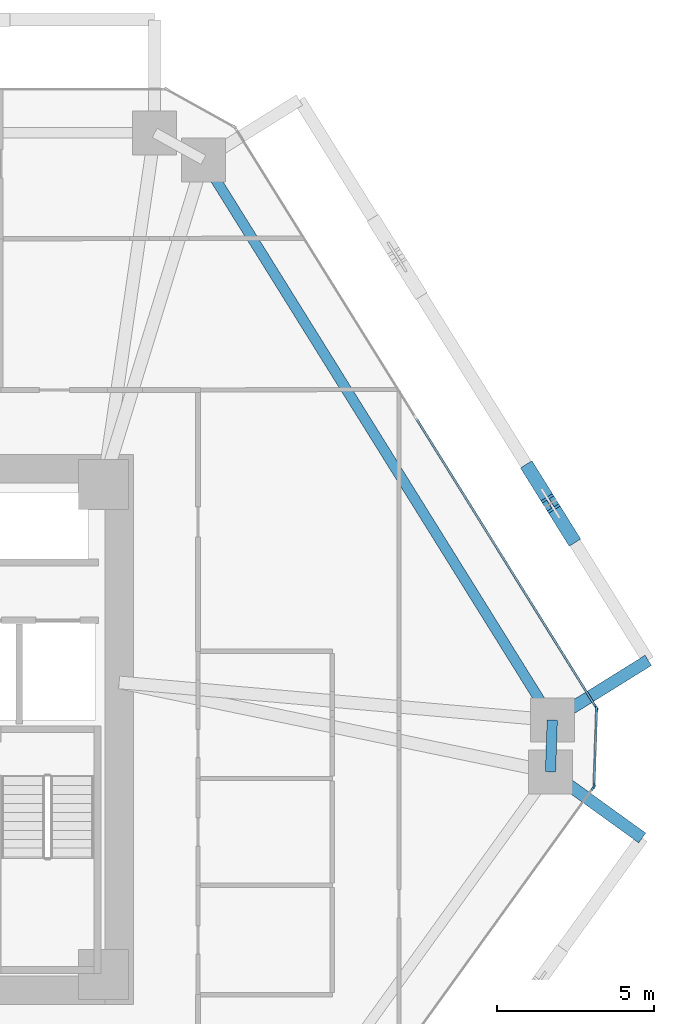
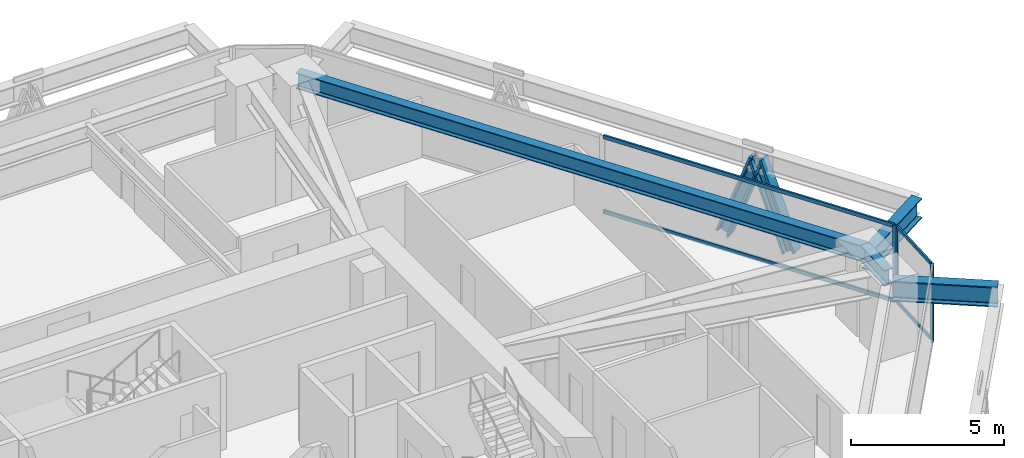
# One storey, part 6 of 17: 10 members, 4 beams, 3 elements without a shape of their own.
"""IFC4 building model written with IfcOpenShell, lengths in metres."""

from ifc_helpers import new_model, si_unit, direction, frame, origin, origin_2d, place, context, subcontext, project, spatial, rectangle, i_section, extrude, source, transform, mapped, material, layer, layer_set, material_profile, profile_set, type_object, type_shapes, element, aggregate, save


model = new_model("IFC4")

# Units and contexts
model_context = context("Model", 3, precision=1e-05, world=origin(), true_north=direction((0.0, 1.0)))
body_context = subcontext(model_context, "Body", "Model", "MODEL_VIEW")
ifc_project = project(units=[si_unit("LENGTHUNIT", "METRE"), si_unit("AREAUNIT", "SQUARE_METRE"), si_unit("VOLUMEUNIT", "CUBIC_METRE"), si_unit("PLANEANGLEUNIT", "RADIAN"), si_unit("MASSUNIT", "GRAM", prefix="KILO")], contexts=[model_context])

# Site, building, storey
site_placement = place(None, origin())
site = spatial("IfcSite", under=ifc_project, at=site_placement, CompositionType="ELEMENT")
building_placement = place(site_placement, origin())
building = spatial("IfcBuilding", under=site, at=building_placement, Name="Durnholm Broadcast Tower", CompositionType="ELEMENT")
storey_placement = place(building_placement, frame((0.0, 0.0, 58.800048828125)))
storey = spatial("IfcBuildingStorey", under=building, at=storey_placement, Name="L14", CompositionType="ELEMENT", Elevation=58.800048828125)

# Beams
ifc_material_1 = material(Name="Steel ASTM A992 Grade 50", Category="steel")
ifc_material_profile_1 = material_profile(ifc_material_1, i_section(OverallWidth=0.3291015625, OverallDepth=0.635009765625, WebThickness=0.017822265625, FlangeThickness=0.031005859375, FilletRadius=0.02783203125, at=origin_2d()), Name="W24X162")
ifc_profile_set_1 = profile_set([ifc_material_profile_1], Name="Steel ASTM A992 Grade 50")
beam_type_1 = type_object("IfcBeamType", Name="STL-SP-W24X162", PredefinedType="SPANDREL", material=ifc_profile_set_1)
shared_shape_1 = source(origin(), body_context, "Body", "SweptSolid", [
    extrude(i_section(OverallWidth=0.3291015625, OverallDepth=0.635009765625, WebThickness=0.017822265625, FlangeThickness=0.031005859375, FilletRadius=0.02783203125, at=origin_2d()), origin(), (0.0, 0.0, 1.0), 21.014404296875),
])
beam_1_placement = place(storey_placement, frame((12.982666015625, 18.138427734375, 2.7275390625), z_axis=(0.528595731543, -0.848873696491, 0.0), x_axis=(0.848873696491, 0.528595731543, 0.0)))
element("IfcBeam", 1, at=beam_1_placement, inside=storey, type_object=beam_type_1, Name="L14 perimeter spandrel girder 07", PredefinedType="SPANDREL", context=body_context, shape_type="MappedRepresentation", body=[
    mapped(shared_shape_1, transform((0.0, 0.0, 0.0), x_axis=(1.0, 0.0, 0.0), y_axis=(0.0, 1.0, 0.0), z_axis=(0.0, 0.0, 1.0), scale=1.0)),
])
shared_shape_2 = source(origin(), body_context, "Body", "SweptSolid", [
    extrude(i_section(OverallWidth=0.3291015625, OverallDepth=0.635009765625, WebThickness=0.017822265625, FlangeThickness=0.031005859375, FilletRadius=0.02783203125, at=origin_2d()), origin(), (0.0, 0.0, 1.0), 1.648193359375),
])
type_shapes(beam_type_1, [shared_shape_1, shared_shape_2])
beam_2_placement = place(storey_placement, frame((24.0908203125, 0.2998046875, 2.7275390625), z_axis=(-0.033921477804, -0.999424501072, 0.0), x_axis=(0.999424501072, -0.033921477804, 0.0)))
element("IfcBeam", 2, at=beam_2_placement, inside=storey, type_object=beam_type_1, Name="L14 perimeter spandrel girder 08", PredefinedType="SPANDREL", context=body_context, shape_type="MappedRepresentation", body=[
    mapped(shared_shape_2, transform((0.0, 0.0, 0.0), x_axis=(1.0, 0.0, 0.0), y_axis=(0.0, 1.0, 0.0), z_axis=(0.0, 0.0, 1.0), scale=1.0)),
])
ifc_material_profile_2 = material_profile(ifc_material_1, i_section(OverallWidth=0.385009765625, OverallDepth=0.802978515625, WebThickness=0.023681640625, FlangeThickness=0.0419921875, FilletRadius=0.032958984375, at=origin_2d()), Name="W30X261")
ifc_profile_set_2 = profile_set([ifc_material_profile_2], Name="Steel ASTM A992 Grade 50")
beam_type_2 = type_object("IfcBeamType", Name="BM-EXO-TIE", PredefinedType="USERDEFINED", material=ifc_profile_set_2)
shared_shape_3 = source(origin(), body_context, "Body", "SweptSolid", [
    extrude(i_section(OverallWidth=0.385009765625, OverallDepth=0.802978515625, WebThickness=0.023681640625, FlangeThickness=0.0419921875, FilletRadius=0.032958984375, at=origin_2d()), origin(), (0.0, 0.0, 1.0), 3.4560546875),
])
beam_3_placement = place(storey_placement, frame((24.212890625, 0.375732421875, 2.30859375), z_axis=(0.848874183218, 0.528594949906, 0.0), x_axis=(-0.528594949906, 0.848874183218, 0.0)))
element("IfcBeam", 3, at=beam_3_placement, inside=storey, type_object=beam_type_2, Name="L14 exoskeleton stand-off tie bracket F3.1", ObjectType="GIRDER", PredefinedType="USERDEFINED", context=body_context, shape_type="MappedRepresentation", body=[
    mapped(shared_shape_3, transform((0.0, 0.0, 0.0), x_axis=(1.0, 0.0, 0.0), y_axis=(0.0, 1.0, 0.0), z_axis=(0.0, 0.0, 1.0), scale=1.0)),
])
shared_shape_4 = source(origin(), body_context, "Body", "SweptSolid", [
    extrude(i_section(OverallWidth=0.385009765625, OverallDepth=0.802978515625, WebThickness=0.023681640625, FlangeThickness=0.0419921875, FilletRadius=0.032958984375, at=origin_2d()), origin(), (0.0, 0.0, 1.0), 3.455810546875),
])
type_shapes(beam_type_2, [shared_shape_3, shared_shape_4])
beam_4_placement = place(storey_placement, frame((24.15185546875, -1.431396484375, 2.30859375), z_axis=(0.811133512552, -0.584861030344, 0.0), x_axis=(0.584861030344, 0.811133512552, 0.0)))
element("IfcBeam", 4, at=beam_4_placement, inside=storey, type_object=beam_type_2, Name="L14 exoskeleton stand-off tie bracket F2.2", ObjectType="GIRDER", PredefinedType="USERDEFINED", context=body_context, shape_type="MappedRepresentation", body=[
    mapped(shared_shape_4, transform((0.0, 0.0, 0.0), x_axis=(1.0, 0.0, 0.0), y_axis=(0.0, 1.0, 0.0), z_axis=(0.0, 0.0, 1.0), scale=1.0)),
])

# Members
ifc_material_2 = material(Name="Steel ASTM A913 Grade 65", Category="steel")
ifc_material_profile_3 = material_profile(ifc_material_2, i_section(OverallWidth=0.43212890625, OverallDepth=0.497802734375, WebThickness=0.0556640625, FlangeThickness=0.0888671875, FilletRadius=0.030517578125, at=origin_2d()), Name="W14X500")
ifc_profile_set_3 = profile_set([ifc_material_profile_3], Name="Steel ASTM A913 Grade 65")
member_type_1 = type_object("IfcMemberType", Name="STL-DG-W14X500", PredefinedType="BRACE", material=ifc_profile_set_3)
shared_shape_5 = source(origin(), body_context, "Body", "SweptSolid", [
    extrude(i_section(OverallWidth=0.43212890625, OverallDepth=0.497802734375, WebThickness=0.0556640625, FlangeThickness=0.0888671875, FilletRadius=0.030517578125, at=origin_2d()), origin(), (0.0, 0.0, 1.0), 3.523193359375),
])
type_shapes(member_type_1, [shared_shape_5])
for number, where, z_axis, x_axis, name in (
    (5, (24.688720703125, 6.150146484375, -0.991455078125), (-0.185157304084, 0.297277258428, 0.936665897941), (-0.848819847179, -0.528682198523, 0.0), "L14 stand-off diagrid brace F3.D1.1"),
    (6, (23.38427734375, 8.244873046875, -0.991455078125), (0.185090383068, -0.297281072018, 0.936677913861), (0.848908635391, 0.528539618911, 0.0), "L14 stand-off diagrid brace F3.D1.2"),
):
    element("IfcMember", number, at=place(storey_placement, frame(where, z_axis=z_axis, x_axis=x_axis)), inside=storey, type_object=member_type_1, Name=name, PredefinedType="BRACE", context=body_context, shape_type="MappedRepresentation", body=[
        mapped(shared_shape_5, transform((0.0, 0.0, 0.0), x_axis=(1.0, 0.0, 0.0), y_axis=(0.0, 1.0, 0.0), z_axis=(0.0, 0.0, 1.0), scale=1.0)),
    ])

# Curtain wall, members
ifc_material_3 = material(Name="Aluminium and Solar Control IGU", Category="aluminium")
ifc_layer_1 = layer(ifc_material_3, 0.1650390625)
ifc_layer_set_1 = layer_set([ifc_layer_1], Name="Aluminium and Solar Control IGU")
curtain_wall_type_1 = type_object("IfcCurtainWallType", Name="CW-SYS-5", PredefinedType="NOTDEFINED", material=ifc_layer_set_1)
curtain_wall_1_placement = place(storey_placement, origin())
curtain_wall_1 = element("IfcCurtainWall", 7, at=curtain_wall_1_placement, inside=storey, type_object=curtain_wall_type_1, Name="L14 curtain wall CW-CORNER CW-L14-CRN-07", PredefinedType="NOTDEFINED")
ifc_material_4 = material(Name="Aluminium 6063-T6", Category="aluminium")
ifc_material_profile_4 = material_profile(ifc_material_4, rectangle(XDim=0.06494140625, YDim=0.1650390625, at=origin_2d()), Name="CWM65X165")
ifc_profile_set_4 = profile_set([ifc_material_profile_4], Name="Aluminium 6063-T6")
member_type_2 = type_object("IfcMemberType", Name="CW-SYS-5-MUL", PredefinedType="MULLION", material=ifc_profile_set_4)
shared_shape_6 = source(origin(), body_context, "Body", "SweptSolid", [
    extrude(rectangle(XDim=0.06494140625, YDim=0.1650390625, at=origin_2d()), origin(), (0.0, 0.0, 1.0), 3.06005859375),
])
type_shapes(member_type_2, [shared_shape_6])
member_1_placement = place(storey_placement, frame((25.50341796875, 0.6455078125, 0.0), z_axis=(0.0, 0.0, 1.0), x_axis=(0.999427277772, -0.033839569233, 0.0)))
member_1 = element("IfcMember", 8, at=member_1_placement, type_object=member_type_2, Name="CW-CORNER mullion 1", PredefinedType="MULLION", context=body_context, shape_type="MappedRepresentation", body=[
    mapped(shared_shape_6, transform((0.0, 0.0, 0.0), x_axis=(1.0, 0.0, 0.0), y_axis=(0.0, 1.0, 0.0), z_axis=(0.0, 0.0, 1.0), scale=1.0)),
])
member_2_placement = place(storey_placement, frame((25.4208984375, -1.7880859375, 0.0), z_axis=(0.0, 0.0, 1.0), x_axis=(0.999427277772, -0.033839569233, 0.0)))
member_2 = element("IfcMember", 9, at=member_2_placement, type_object=member_type_2, Name="CW-CORNER mullion 2", PredefinedType="MULLION", context=body_context, shape_type="MappedRepresentation", body=[
    mapped(shared_shape_6, transform((0.0, 0.0, 0.0), x_axis=(1.0, 0.0, 0.0), y_axis=(0.0, 1.0, 0.0), z_axis=(0.0, 0.0, 1.0), scale=1.0)),
])
ifc_material_profile_5 = material_profile(ifc_material_4, rectangle(XDim=0.06494140625, YDim=0.1298828125, at=origin_2d()), Name="CWT65X130")
ifc_profile_set_5 = profile_set([ifc_material_profile_5], Name="Aluminium 6063-T6")
member_type_3 = type_object("IfcMemberType", Name="CW-SYS-5-TRN", PredefinedType="USERDEFINED", material=ifc_profile_set_5)
shared_shape_7 = source(origin(), body_context, "Body", "SweptSolid", [
    extrude(rectangle(XDim=0.06494140625, YDim=0.1298828125, at=origin_2d()), origin(), (0.0, 0.0, 1.0), 2.3701171875),
])
type_shapes(member_type_3, [shared_shape_7])
member_3_placement = place(storey_placement, frame((25.502197265625, 0.613037109375, 0.032470703125), z_axis=(-0.033788158898, -0.999429017148, 0.0), x_axis=(0.999429017148, -0.033788158898, 0.0)))
member_3 = element("IfcMember", 10, at=member_3_placement, type_object=member_type_3, Name="CW-CORNER transom 1.1", ObjectType="TRANSOM", PredefinedType="USERDEFINED", context=body_context, shape_type="MappedRepresentation", body=[
    mapped(shared_shape_7, transform((0.0, 0.0, 0.0), x_axis=(1.0, 0.0, 0.0), y_axis=(0.0, 1.0, 0.0), z_axis=(0.0, 0.0, 1.0), scale=1.0)),
])
member_4_placement = place(storey_placement, frame((25.502197265625, 0.613037109375, 3.02734375), z_axis=(-0.033788158898, -0.999429017148, 0.0), x_axis=(0.999429017148, -0.033788158898, 0.0)))
member_4 = element("IfcMember", 11, at=member_4_placement, type_object=member_type_3, Name="CW-CORNER transom 1.2", ObjectType="TRANSOM", PredefinedType="USERDEFINED", context=body_context, shape_type="MappedRepresentation", body=[
    mapped(shared_shape_7, transform((0.0, 0.0, 0.0), x_axis=(1.0, 0.0, 0.0), y_axis=(0.0, 1.0, 0.0), z_axis=(0.0, 0.0, 1.0), scale=1.0)),
])
aggregate(curtain_wall_1, [member_1, member_2, member_3, member_4])

# Curtain wall, member
ifc_layer_2 = layer(ifc_material_3, 0.18994140625)
ifc_layer_set_2 = layer_set([ifc_layer_2], Name="Aluminium and Solar Control IGU")
curtain_wall_type_2 = type_object("IfcCurtainWallType", Name="CW-SYS-3", PredefinedType="NOTDEFINED", material=ifc_layer_set_2)
curtain_wall_2_placement = place(storey_placement, origin())
curtain_wall_2 = element("IfcCurtainWall", 12, at=curtain_wall_2_placement, inside=storey, type_object=curtain_wall_type_2, Name="L14 curtain wall CW-Z12-VIS CW-L14-F06", PredefinedType="NOTDEFINED")
ifc_material_profile_6 = material_profile(ifc_material_4, rectangle(XDim=0.070068359375, YDim=0.18994140625, at=origin_2d()), Name="CWM70X190")
ifc_profile_set_6 = profile_set([ifc_material_profile_6], Name="Aluminium 6063-T6")
member_type_4 = type_object("IfcMemberType", Name="CW-SYS-3-MUL", PredefinedType="MULLION", material=ifc_profile_set_6)
shared_shape_8 = source(origin(), body_context, "Body", "SweptSolid", [
    extrude(rectangle(XDim=0.070068359375, YDim=0.18994140625, at=origin_2d()), origin(), (0.0, 0.0, 1.0), 3.06005859375),
])
type_shapes(member_type_4, [shared_shape_8])
member_5_placement = place(storey_placement, frame((25.48583984375, 0.707763671875, 0.0), z_axis=(0.0, 0.0, 1.0), x_axis=(0.848875785503, 0.528592376777, 0.0)))
member_5 = element("IfcMember", 13, at=member_5_placement, type_object=member_type_4, Name="CW-Z12-VIS mullion 3", PredefinedType="MULLION", context=body_context, shape_type="MappedRepresentation", body=[
    mapped(shared_shape_8, transform((0.0, 0.0, 0.0), x_axis=(1.0, 0.0, 0.0), y_axis=(0.0, 1.0, 0.0), z_axis=(0.0, 0.0, 1.0), scale=1.0)),
])

curtain_wall_3_placement = place(storey_placement, origin())
curtain_wall_3 = element("IfcCurtainWall", 14, at=curtain_wall_3_placement, inside=storey, type_object=curtain_wall_type_2, Name="L14 curtain wall CW-Z12-VIS CW-L14-F08", PredefinedType="NOTDEFINED")
member_6_placement = place(storey_placement, frame((25.3994140625, -1.848876953125, 0.0), z_axis=(0.0, 0.0, 1.0), x_axis=(0.81116057493, -0.584823496176, 0.0)))
member_6 = element("IfcMember", 15, at=member_6_placement, type_object=member_type_4, Name="CW-Z12-VIS mullion 1", PredefinedType="MULLION", context=body_context, shape_type="MappedRepresentation", body=[
    mapped(shared_shape_8, transform((0.0, 0.0, 0.0), x_axis=(1.0, 0.0, 0.0), y_axis=(0.0, 1.0, 0.0), z_axis=(0.0, 0.0, 1.0), scale=1.0)),
])
aggregate(curtain_wall_3, [member_6])

# Member
ifc_material_profile_7 = material_profile(ifc_material_4, rectangle(XDim=0.070068359375, YDim=0.14990234375, at=origin_2d()), Name="CWT70X150")
ifc_profile_set_7 = profile_set([ifc_material_profile_7], Name="Aluminium 6063-T6")
member_type_5 = type_object("IfcMemberType", Name="CW-SYS-3-TRN", PredefinedType="USERDEFINED", material=ifc_profile_set_7)
shared_shape_9 = source(origin(), body_context, "Body", "SweptSolid", [
    extrude(rectangle(XDim=0.070068359375, YDim=0.14990234375, at=origin_2d()), origin(), (0.0, 0.0, 1.0), 10.796630859375),
])
type_shapes(member_type_5, [shared_shape_9])
member_7_placement = place(storey_placement, frame((19.760498046875, 9.902587890625, 0.034912109375), z_axis=(0.528575362968, -0.848886379714, 0.0), x_axis=(0.848886379714, 0.528575362968, 0.0)))
member_7 = element("IfcMember", 16, at=member_7_placement, type_object=member_type_5, Name="CW-Z12-VIS transom 2.1", ObjectType="TRANSOM", PredefinedType="USERDEFINED", context=body_context, shape_type="MappedRepresentation", body=[
    mapped(shared_shape_9, transform((0.0, 0.0, 0.0), x_axis=(1.0, 0.0, 0.0), y_axis=(0.0, 1.0, 0.0), z_axis=(0.0, 0.0, 1.0), scale=1.0)),
])

member_8_placement = place(storey_placement, frame((19.760498046875, 9.902587890625, 3.02490234375), z_axis=(0.528575362968, -0.848886379714, 0.0), x_axis=(0.848886379714, 0.528575362968, 0.0)))
member_8 = element("IfcMember", 17, at=member_8_placement, type_object=member_type_5, Name="CW-Z12-VIS transom 2.2", ObjectType="TRANSOM", PredefinedType="USERDEFINED", context=body_context, shape_type="MappedRepresentation", body=[
    mapped(shared_shape_9, transform((0.0, 0.0, 0.0), x_axis=(1.0, 0.0, 0.0), y_axis=(0.0, 1.0, 0.0), z_axis=(0.0, 0.0, 1.0), scale=1.0)),
])

aggregate(curtain_wall_2, [member_5, member_7, member_8])

save(model, "model.ifc")
